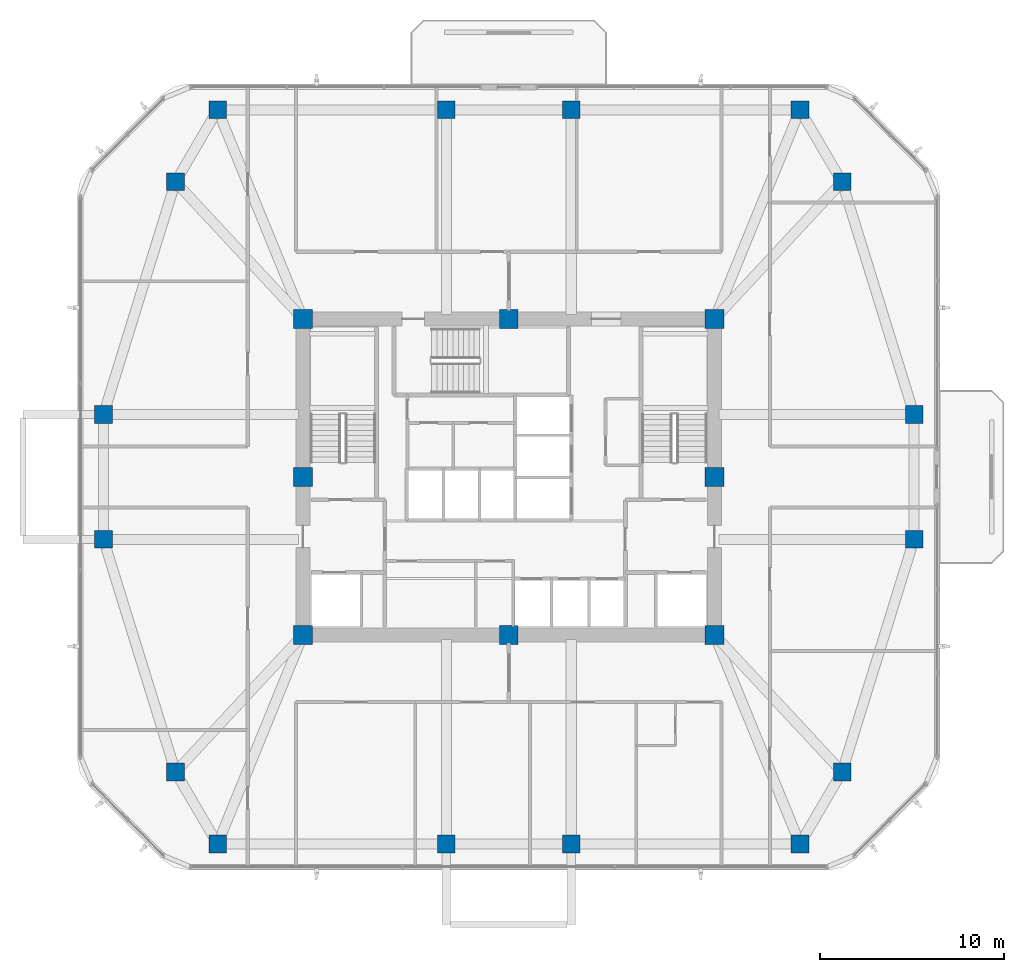
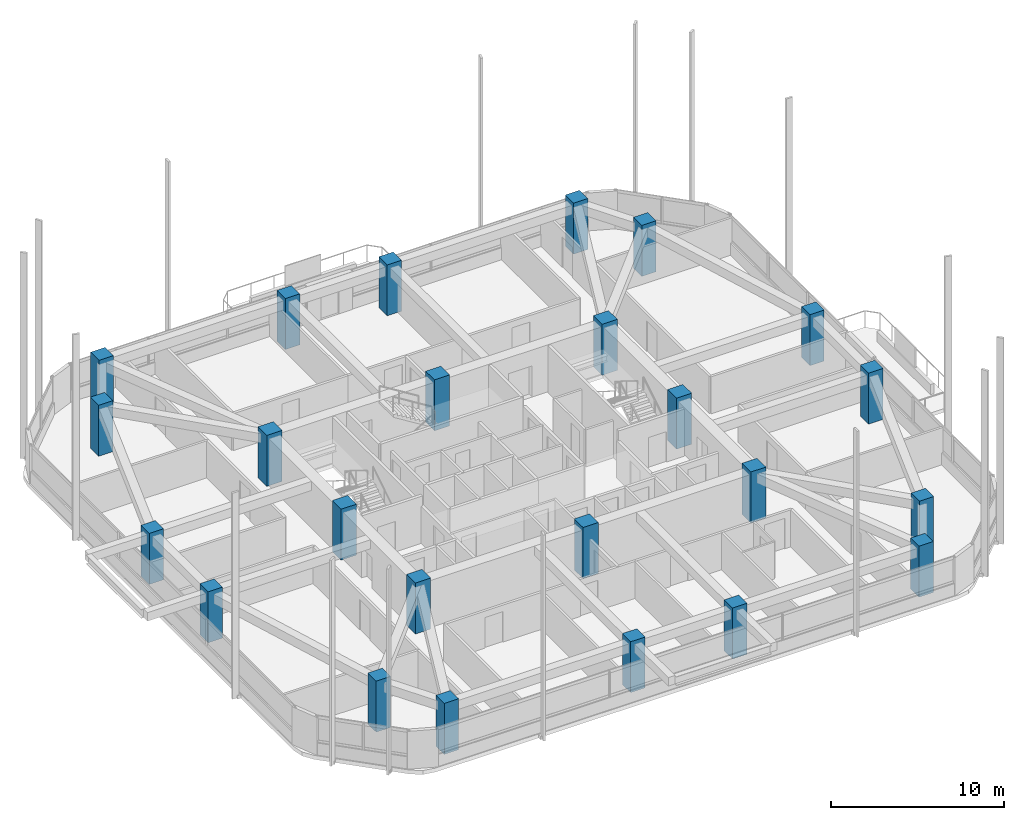
# One storey, part 1 of 14: 24 columns.
"""IFC4 building model written with IfcOpenShell, lengths in metres."""

from ifc_helpers import new_model, si_unit, derived_unit, direction, frame, origin, origin_2d, place, context, subcontext, project, spatial, rectangle, extrude, material, material_profile, profile_set, type_object, element, save


model = new_model("IFC4")

# Units and contexts
model_context = context("Model", 3, precision=1e-05, world=origin(), true_north=direction((0.0, 1.0)))
body_context = subcontext(model_context, "Body", "Model", "MODEL_VIEW")
ifc_project = project(units=[si_unit("LENGTHUNIT", "METRE"), si_unit("AREAUNIT", "SQUARE_METRE"), si_unit("VOLUMEUNIT", "CUBIC_METRE"), si_unit("PLANEANGLEUNIT", "RADIAN"), si_unit("MASSUNIT", "GRAM", prefix="KILO"), derived_unit("THERMALTRANSMITTANCEUNIT", [(si_unit("POWERUNIT", "WATT"), 1), (si_unit("LENGTHUNIT", "METRE"), -2), (si_unit("THERMODYNAMICTEMPERATUREUNIT", "KELVIN"), -1)])], contexts=[model_context])

# Site, building, storey
site_placement = place(None, origin())
site = spatial("IfcSite", under=ifc_project, at=site_placement, CompositionType="ELEMENT")
building_placement = place(site_placement, origin())
building = spatial("IfcBuilding", under=site, at=building_placement, Name="Koralith Skygarden Medical Center", CompositionType="ELEMENT")
storey_placement = place(building_placement, frame((0.0, 0.0, 160.02001953125)))
storey = spatial("IfcBuildingStorey", under=building, at=storey_placement, Name="L41", CompositionType="ELEMENT", Elevation=160.02001953125)

# Columns
ifc_material_1 = material(Name="Concrete C70/85", Category="concrete")
ifc_material_profile_1 = material_profile(ifc_material_1, rectangle(XDim=1.02001953125, YDim=1.02001953125, at=origin_2d()), Name="RC1020X1020")
ifc_profile_set_1 = profile_set([ifc_material_profile_1], Name="Concrete C70/85")
column_type_1 = type_object("IfcColumnType", Name="Core Mega-Column C70 RC1020", PredefinedType="COLUMN", material=ifc_profile_set_1)
for number, where, z_axis, x_axis, name in (
    (1, (25.800048828125, 17.300048828125, 0.0), (0.0, 0.0, 1.0), (1.0, 0.0, 0.0), "L41 Core Column CC-01"),
    (2, (37.0, 17.300048828125, 0.0), (0.0, 0.0, 1.0), (1.0, 0.0, 0.0), "L41 Core Column CC-02"),
    (3, (48.199951171875, 17.300048828125, 0.0), (0.0, 0.0, 1.0), (1.0, 0.0, 0.0), "L41 Core Column CC-03"),
    (4, (48.199951171875, 25.89990234375, 0.0), (0.0, 0.0, 1.0), (1.0, 0.0, 0.0), "L41 Core Column CC-04"),
    (5, (48.199951171875, 34.5, 0.0), (0.0, 0.0, 1.0), (1.0, 0.0, 0.0), "L41 Core Column CC-05"),
    (6, (37.0, 34.5, 0.0), (0.0, 0.0, 1.0), (1.0, 0.0, 0.0), "L41 Core Column CC-06"),
    (7, (25.800048828125, 34.5, 0.0), (0.0, 0.0, 1.0), (1.0, 0.0, 0.0), "L41 Core Column CC-07"),
    (8, (25.800048828125, 25.89990234375, 0.0), (0.0, 0.0, 1.0), (1.0, 0.0, 0.0), "L41 Core Column CC-08"),
):
    element("IfcColumn", number, at=place(storey_placement, frame(where, z_axis=z_axis, x_axis=x_axis)), inside=storey, type_object=column_type_1, Name=name, PredefinedType="COLUMN", context=body_context, shape_type="SweptSolid", body=[
        extrude(rectangle(XDim=1.02001953125, YDim=1.02001953125, at=origin_2d()), origin(), (0.0, 0.0, 1.0), 3.60009765625),
    ])
ifc_material_2 = material(Name="Concrete C55/67", Category="concrete")
ifc_material_profile_2 = material_profile(ifc_material_2, rectangle(XDim=0.9599609375, YDim=0.9599609375, at=origin_2d()), Name="RC960X960")
ifc_profile_set_2 = profile_set([ifc_material_profile_2], Name="Concrete C55/67")
column_type_2 = type_object("IfcColumnType", Name="Zone 3 Waist Mega-Column C55 RC960", PredefinedType="COLUMN", material=ifc_profile_set_2)
for number, where, z_axis, x_axis, name in (
    (9, (14.93603515625, 22.5, 0.0), (0.0, 0.0, 1.0), (1.0, 0.0, 0.0), "L41 Perimeter Mega-Column MC-01"),
    (10, (18.85595703125, 9.840087890625, 0.0), (0.0, 0.0, 1.0), (1.0, 0.0, 0.0), "L41 Perimeter Mega-Column MC-02"),
    (11, (21.14794921875, 5.919921875, 0.0), (0.0, 0.0, 1.0), (1.0, 0.0, 0.0), "L41 Perimeter Mega-Column MC-03"),
    (12, (33.60009765625, 5.919921875, 0.0), (0.0, 0.0, 1.0), (1.0, 0.0, 0.0), "L41 Perimeter Mega-Column MC-04"),
    (13, (40.39990234375, 5.919921875, 0.0), (0.0, 0.0, 1.0), (1.0, 0.0, 0.0), "L41 Perimeter Mega-Column MC-05"),
    (14, (52.85205078125, 5.919921875, 0.0), (0.0, 0.0, 1.0), (1.0, 0.0, 0.0), "L41 Perimeter Mega-Column MC-06"),
    (15, (55.14404296875, 9.840087890625, 0.0), (0.0, 0.0, 1.0), (1.0, 0.0, 0.0), "L41 Perimeter Mega-Column MC-07"),
    (16, (59.06396484375, 22.5, 0.0), (0.0, 0.0, 1.0), (1.0, 0.0, 0.0), "L41 Perimeter Mega-Column MC-08"),
    (17, (59.06396484375, 29.300048828125, 0.0), (0.0, 0.0, 1.0), (1.0, 0.0, 0.0), "L41 Perimeter Mega-Column MC-09"),
    (18, (55.14404296875, 41.9599609375, 0.0), (0.0, 0.0, 1.0), (1.0, 0.0, 0.0), "L41 Perimeter Mega-Column MC-10"),
    (19, (52.85205078125, 45.8798828125, 0.0), (0.0, 0.0, 1.0), (1.0, 0.0, 0.0), "L41 Perimeter Mega-Column MC-11"),
    (20, (40.39990234375, 45.8798828125, 0.0), (0.0, 0.0, 1.0), (1.0, 0.0, 0.0), "L41 Perimeter Mega-Column MC-12"),
    (21, (33.60009765625, 45.8798828125, 0.0), (0.0, 0.0, 1.0), (1.0, 0.0, 0.0), "L41 Perimeter Mega-Column MC-13"),
    (22, (21.14794921875, 45.8798828125, 0.0), (0.0, 0.0, 1.0), (1.0, 0.0, 0.0), "L41 Perimeter Mega-Column MC-14"),
    (23, (18.85595703125, 41.9599609375, 0.0), (0.0, 0.0, 1.0), (1.0, 0.0, 0.0), "L41 Perimeter Mega-Column MC-15"),
    (24, (14.93603515625, 29.300048828125, 0.0), (0.0, 0.0, 1.0), (1.0, 0.0, 0.0), "L41 Perimeter Mega-Column MC-16"),
):
    element("IfcColumn", number, at=place(storey_placement, frame(where, z_axis=z_axis, x_axis=x_axis)), inside=storey, type_object=column_type_2, Name=name, PredefinedType="COLUMN", context=body_context, shape_type="SweptSolid", body=[
        extrude(rectangle(XDim=0.9599609375, YDim=0.9599609375, at=origin_2d()), origin(), (0.0, 0.0, 1.0), 3.60009765625),
    ])

save(model, "model.ifc")
